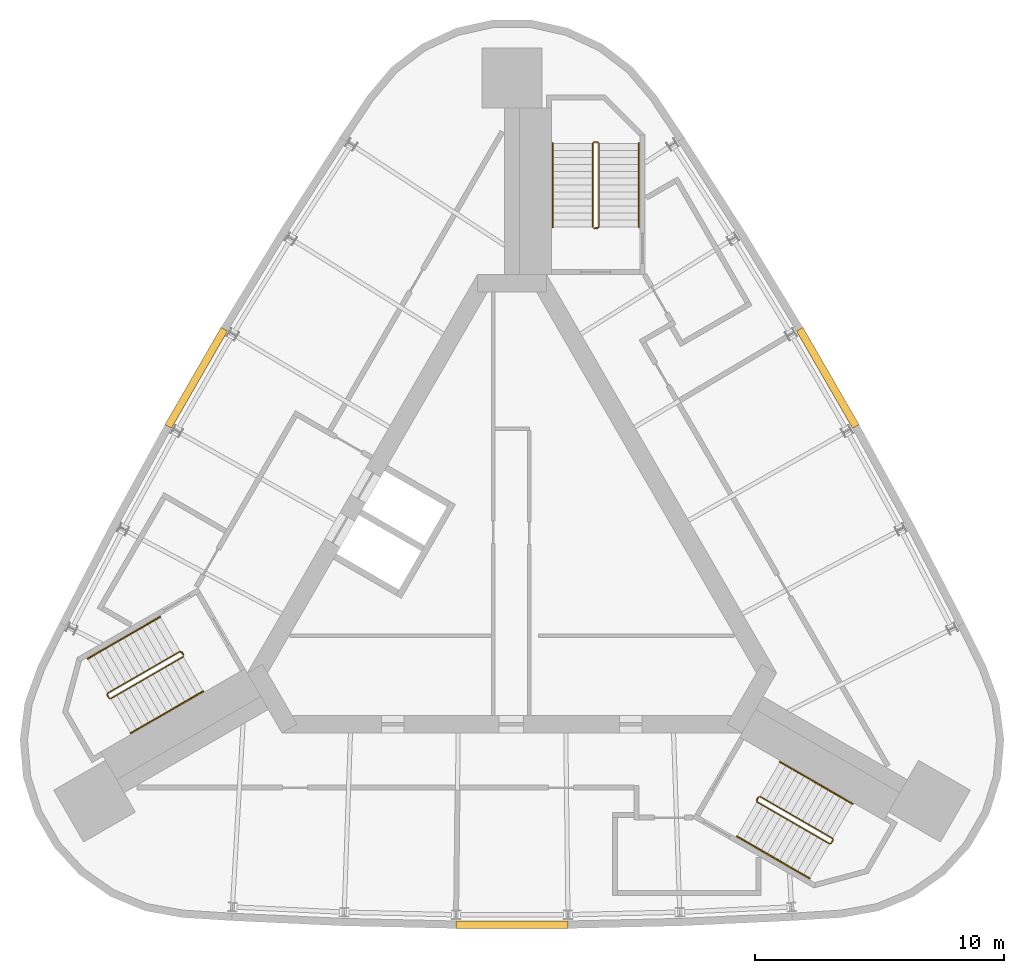
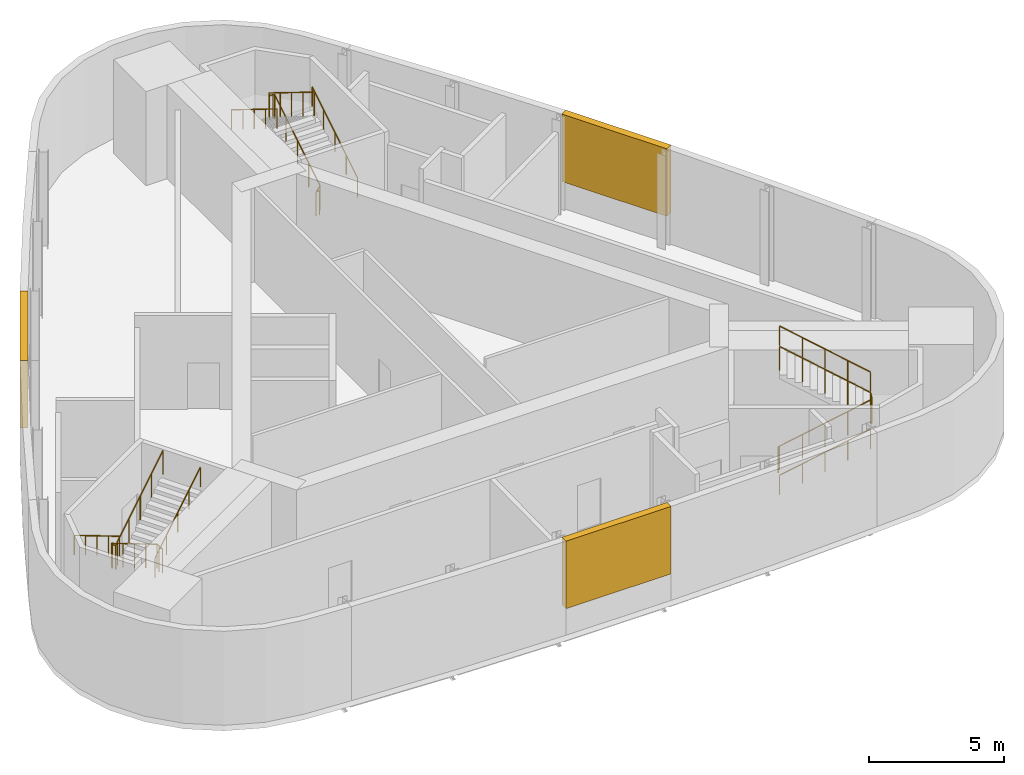
# One storey, part 7 of 7: 9 railings, 3 shading devices.
"""IFC4 building model written with IfcOpenShell, lengths in metres."""

from ifc_helpers import new_model, si_unit, direction, frame, origin, origin_2d, place, context, subcontext, project, spatial, polyline, circle, outline, extrude, material, type_object, element, save


model = new_model("IFC4")

# Units and contexts
model_context = context("Model", 3, precision=1e-05, world=origin(), true_north=direction((0.0, 1.0)))
body_context = subcontext(model_context, "Body", "Model", "MODEL_VIEW")
ifc_project = project(units=[si_unit("LENGTHUNIT", "METRE"), si_unit("AREAUNIT", "SQUARE_METRE"), si_unit("VOLUMEUNIT", "CUBIC_METRE"), si_unit("PLANEANGLEUNIT", "RADIAN"), si_unit("MASSUNIT", "GRAM", prefix="KILO")], contexts=[model_context])

# Site, building, storey
site_placement = place(None, origin())
site = spatial("IfcSite", under=ifc_project, at=site_placement, CompositionType="ELEMENT")
building_placement = place(site_placement, origin())
building = spatial("IfcBuilding", under=site, at=building_placement, Name="Noor Cloister Tower", CompositionType="ELEMENT")
storey_placement = place(building_placement, frame((0.0, 0.0, 279.60009765625)))
storey = spatial("IfcBuildingStorey", under=building, at=storey_placement, Name="L71", CompositionType="ELEMENT", Elevation=279.60009765625)

# Shading devices
ifc_material_1 = material(Name="Aluminium 6063-T6 anodised", Category="aluminium")
shading_device_type = type_object("IfcShadingDeviceType", Name="LOUVRE crown plant air 40 percent free", PredefinedType="USERDEFINED", material=ifc_material_1)
shading_device_1_placement = place(storey_placement, frame((0.0, 0.0, 1.199951171875)))
element("IfcShadingDevice", 1, at=shading_device_1_placement, inside=storey, type_object=shading_device_type, Name="LOUVRE L71 1", ObjectType="LOUVRE", PredefinedType="USERDEFINED", context=body_context, shape_type="SweptSolid", body=[
    extrude(outline(polyline([(-11.669189453125, 9.335205078125), (-13.919189453125, 5.438232421875), (-13.659423828125, 5.288330078125), (-11.409423828125, 9.185302734375), (-11.669189453125, 9.335205078125)])), origin(), (0.0, 0.0, 1.0), 3.050048828125),
])
shading_device_2_placement = place(storey_placement, frame((0.0, 0.0, 1.199951171875)))
element("IfcShadingDevice", 2, at=shading_device_2_placement, inside=storey, type_object=shading_device_type, Name="LOUVRE L71 2", ObjectType="LOUVRE", PredefinedType="USERDEFINED", context=body_context, shape_type="SweptSolid", body=[
    extrude(outline(polyline([(-2.25, -14.7734375), (2.25, -14.7734375), (2.25, -14.473388671875), (-2.25, -14.473388671875), (-2.25, -14.7734375)])), origin(), (0.0, 0.0, 1.0), 3.050048828125),
])
shading_device_3_placement = place(storey_placement, frame((0.0, 0.0, 1.199951171875)))
element("IfcShadingDevice", 3, at=shading_device_3_placement, inside=storey, type_object=shading_device_type, Name="LOUVRE L71 3", ObjectType="LOUVRE", PredefinedType="USERDEFINED", context=body_context, shape_type="SweptSolid", body=[
    extrude(outline(polyline([(13.919189453125, 5.438232421875), (11.669189453125, 9.335205078125), (11.409423828125, 9.185302734375), (13.659423828125, 5.288330078125), (13.919189453125, 5.438232421875)])), origin(), (0.0, 0.0, 1.0), 3.050048828125),
])

# Railings
ifc_material_2 = material(Name="Stainless steel", Category="steel")
railing_type_1 = type_object("IfcRailingType", Name="Stair guard 1100", PredefinedType="GUARDRAIL", material=ifc_material_2)
railing_1_placement = place(storey_placement, frame((3.435546875, 13.306396484375, 0.0)))
element("IfcRailing", 4, at=railing_1_placement, inside=storey, type_object=railing_type_1, Name="Stair guard ST1 L71", PredefinedType="GUARDRAIL", context=body_context, shape_type="SweptSolid", body=[
    extrude(circle(Radius=0.02392578125, at=origin_2d()), frame((0.0, 0.0, 1.076171875), z_axis=(-1.0, 0.0, 0.0), x_axis=(0.0, -1.0, 0.0)), (0.0, 0.0, 1.0), 0.14990234375),
    extrude(circle(Radius=0.02392578125, at=origin_2d()), frame((-0.14990234375, 0.0, 1.076171875), z_axis=(0.742869136974, 0.185944045274, 0.643094283413), x_axis=(-0.242814311512, 0.970072785993, 0.0)), (0.0, 0.0, 1.0), 0.26904296875),
    extrude(circle(Radius=0.02392578125, at=origin_2d()), frame((0.050048828125, 0.050048828125, 1.2490234375), z_axis=(0.0, 0.850606129759, 0.525803396734), x_axis=(-1.0, 0.0, 0.0)), (0.0, 0.0, 1.0), 3.949951171875),
    extrude(circle(Radius=0.02392578125, at=origin_2d()), frame((0.050048828125, 3.409912109375, 3.326171875), z_axis=(-0.707106781187, 0.707106781187, 0.0), x_axis=(-0.707106781187, -0.707106781187, 0.0)), (0.0, 0.0, 1.0), 0.07080078125),
    extrude(circle(Radius=0.02392578125, at=origin_2d()), frame((0.0, 3.4599609375, 3.326171875), z_axis=(-1.0, 0.0, 0.0), x_axis=(0.0, -1.0, 0.0)), (0.0, 0.0, 1.0), 0.14990234375),
    extrude(circle(Radius=0.02392578125, at=origin_2d()), frame((-0.14990234375, 3.4599609375, 3.326171875), z_axis=(-0.267629722418, -0.267629722418, 0.925607186314), x_axis=(0.707106781187, -0.707106781187, 0.0)), (0.0, 0.0, 1.0), 0.18701171875),
    extrude(circle(Radius=0.02392578125, at=origin_2d()), frame((-0.199951171875, 3.409912109375, 3.4990234375), z_axis=(0.0, -0.850606129759, 0.525803396734), x_axis=(1.0, 0.0, 0.0)), (0.0, 0.0, 1.0), 3.949951171875),
    extrude(circle(Radius=0.02099609375, at=origin_2d()), origin(), (0.0, 0.0, 1.0), 1.052001953125),
    extrude(circle(Radius=0.02099609375, at=origin_2d()), frame((-0.14990234375, 0.0, 0.0)), (0.0, 0.0, 1.0), 1.052001953125),
    extrude(circle(Radius=0.02099609375, at=origin_2d()), frame((0.050048828125, 0.050048828125, 0.173095703125)), (0.0, 0.0, 1.0), 1.052001953125),
    extrude(circle(Radius=0.02099609375, at=origin_2d()), frame((0.050048828125, 0.89013671875, 0.6923828125)), (0.0, 0.0, 1.0), 1.052001953125),
    extrude(circle(Radius=0.02099609375, at=origin_2d()), frame((0.050048828125, 1.72998046875, 1.21142578125)), (0.0, 0.0, 1.0), 1.052001953125),
    extrude(circle(Radius=0.02099609375, at=origin_2d()), frame((0.050048828125, 2.56982421875, 1.730712890625)), (0.0, 0.0, 1.0), 1.052001953125),
    extrude(circle(Radius=0.02099609375, at=origin_2d()), frame((0.050048828125, 3.409912109375, 2.25)), (0.0, 0.0, 1.0), 1.052001953125),
    extrude(circle(Radius=0.02099609375, at=origin_2d()), frame((0.0, 3.4599609375, 2.25)), (0.0, 0.0, 1.0), 1.052001953125),
    extrude(circle(Radius=0.02099609375, at=origin_2d()), frame((-0.14990234375, 3.4599609375, 2.25)), (0.0, 0.0, 1.0), 1.052001953125),
    extrude(circle(Radius=0.02099609375, at=origin_2d()), frame((-0.199951171875, 3.409912109375, 2.423095703125)), (0.0, 0.0, 1.0), 1.052001953125),
    extrude(circle(Radius=0.02099609375, at=origin_2d()), frame((-0.199951171875, 2.56982421875, 2.9423828125)), (0.0, 0.0, 1.0), 1.052001953125),
    extrude(circle(Radius=0.02099609375, at=origin_2d()), frame((-0.199951171875, 1.72998046875, 3.46142578125)), (0.0, 0.0, 1.0), 1.052001953125),
    extrude(circle(Radius=0.02099609375, at=origin_2d()), frame((-0.199951171875, 0.89013671875, 3.980712890625)), (0.0, 0.0, 1.0), 1.052001953125),
    extrude(circle(Radius=0.02099609375, at=origin_2d()), frame((-0.199951171875, 0.050048828125, 4.5)), (0.0, 0.0, 1.0), 1.052001953125),
])
railing_2_placement = place(storey_placement, frame((-13.241455078125, -3.677734375, 0.0)))
element("IfcRailing", 5, at=railing_2_placement, inside=storey, type_object=railing_type_1, Name="Stair guard ST2 L71", PredefinedType="GUARDRAIL", context=body_context, shape_type="SweptSolid", body=[
    extrude(circle(Radius=0.02392578125, at=origin_2d()), frame((0.0, 0.0, 1.076171875), z_axis=(0.499112439033, -0.866537231285, 0.0), x_axis=(0.866537231285, 0.499112439033, 0.0)), (0.0, 0.0, 1.0), 0.150146484375),
    extrude(circle(Radius=0.02392578125, at=origin_2d()), frame((0.074951171875, -0.130126953125, 1.076171875), z_axis=(-0.532384093884, 0.550523245294, 0.643032917485), x_axis=(-0.718850276695, -0.695164929852, 0.0)), (0.0, 0.0, 1.0), 0.269287109375),
    extrude(circle(Radius=0.02392578125, at=origin_2d()), frame((-0.068359375, 0.01806640625, 1.2490234375), z_axis=(-0.736667954249, -0.425288379326, 0.525785240943), x_axis=(0.499976138585, -0.866039179741, 0.0)), (0.0, 0.0, 1.0), 3.9501953125),
    extrude(circle(Radius=0.02392578125, at=origin_2d()), frame((-2.978271484375, -1.661865234375, 3.326171875), z_axis=(-0.258736085224, -0.965948051503, 0.0), x_axis=(0.965948051503, -0.258736085224, 0.0)), (0.0, 0.0, 1.0), 0.07080078125),
    extrude(circle(Radius=0.02392578125, at=origin_2d()), frame((-2.99658203125, -1.730224609375, 3.326171875), z_axis=(0.501036270542, -0.865426285481, 0.0), x_axis=(0.865426285481, 0.501036270542, 0.0)), (0.0, 0.0, 1.0), 0.150146484375),
    extrude(circle(Radius=0.02392578125, at=origin_2d()), frame((-2.92138671875, -1.860107421875, 3.326171875), z_axis=(0.364418931161, -0.097962078269, 0.926068179905), x_axis=(0.259601060869, 0.965715946433, 0.0)), (0.0, 0.0, 1.0), 0.18701171875),
    extrude(circle(Radius=0.02392578125, at=origin_2d()), frame((-2.853271484375, -1.87841796875, 3.4990234375), z_axis=(0.736648589954, 0.42533900462, 0.52577141998), x_axis=(-0.500030632641, 0.866007717299, 0.0)), (0.0, 0.0, 1.0), 3.9501953125),
    extrude(circle(Radius=0.02099609375, at=origin_2d()), origin(), (0.0, 0.0, 1.0), 1.052001953125),
    extrude(circle(Radius=0.02099609375, at=origin_2d()), frame((0.074951171875, -0.130126953125, 0.0)), (0.0, 0.0, 1.0), 1.052001953125),
    extrude(circle(Radius=0.02099609375, at=origin_2d()), frame((-0.068359375, 0.01806640625, 0.173095703125)), (0.0, 0.0, 1.0), 1.052001953125),
    extrude(circle(Radius=0.02099609375, at=origin_2d()), frame((-0.7958984375, -0.40185546875, 0.6923828125)), (0.0, 0.0, 1.0), 1.052001953125),
    extrude(circle(Radius=0.02099609375, at=origin_2d()), frame((-1.5234375, -0.82177734375, 1.21142578125)), (0.0, 0.0, 1.0), 1.052001953125),
    extrude(circle(Radius=0.02099609375, at=origin_2d()), frame((-2.250732421875, -1.241943359375, 1.730712890625)), (0.0, 0.0, 1.0), 1.052001953125),
    extrude(circle(Radius=0.02099609375, at=origin_2d()), frame((-2.978271484375, -1.661865234375, 2.25)), (0.0, 0.0, 1.0), 1.052001953125),
    extrude(circle(Radius=0.02099609375, at=origin_2d()), frame((-2.99658203125, -1.730224609375, 2.25)), (0.0, 0.0, 1.0), 1.052001953125),
    extrude(circle(Radius=0.02099609375, at=origin_2d()), frame((-2.92138671875, -1.860107421875, 2.25)), (0.0, 0.0, 1.0), 1.052001953125),
    extrude(circle(Radius=0.02099609375, at=origin_2d()), frame((-2.853271484375, -1.87841796875, 2.423095703125)), (0.0, 0.0, 1.0), 1.052001953125),
    extrude(circle(Radius=0.02099609375, at=origin_2d()), frame((-2.125732421875, -1.45849609375, 2.9423828125)), (0.0, 0.0, 1.0), 1.052001953125),
    extrude(circle(Radius=0.02099609375, at=origin_2d()), frame((-1.3984375, -1.038330078125, 3.46142578125)), (0.0, 0.0, 1.0), 1.052001953125),
    extrude(circle(Radius=0.02099609375, at=origin_2d()), frame((-0.6708984375, -0.6181640625, 3.980712890625)), (0.0, 0.0, 1.0), 1.052001953125),
    extrude(circle(Radius=0.02099609375, at=origin_2d()), frame((0.056640625, -0.1982421875, 4.5)), (0.0, 0.0, 1.0), 1.052001953125),
])
railing_3_placement = place(storey_placement, frame((9.805908203125, -9.628662109375, 0.0)))
element("IfcRailing", 6, at=railing_3_placement, inside=storey, type_object=railing_type_1, Name="Stair guard ST3 L71", PredefinedType="GUARDRAIL", context=body_context, shape_type="SweptSolid", body=[
    extrude(circle(Radius=0.02392578125, at=origin_2d()), frame((0.0, 0.0, 1.076171875), z_axis=(0.499112439033, 0.866537231285, 0.0), x_axis=(-0.866537231285, 0.499112439033, 0.0)), (0.0, 0.0, 1.0), 0.150146484375),
    extrude(circle(Radius=0.02392578125, at=origin_2d()), frame((0.074951171875, 0.130126953125, 1.076171875), z_axis=(-0.210401176497, -0.736404117741, 0.642993250589), x_axis=(0.961523947641, -0.274721127897, 0.0)), (0.0, 0.0, 1.0), 0.269287109375),
    extrude(circle(Radius=0.02392578125, at=origin_2d()), frame((0.018310546875, -0.068115234375, 1.2490234375), z_axis=(0.736648589954, -0.42533900462, 0.52577141998), x_axis=(0.500030632641, 0.866007717299, 0.0)), (0.0, 0.0, 1.0), 3.9501953125),
    extrude(circle(Radius=0.02392578125, at=origin_2d()), frame((2.92822265625, -1.748291015625, 3.326171875), z_axis=(0.965715946433, 0.259601060869, 0.0), x_axis=(-0.259601060869, 0.965715946433, 0.0)), (0.0, 0.0, 1.0), 0.070556640625),
    extrude(circle(Radius=0.02392578125, at=origin_2d()), frame((2.996337890625, -1.72998046875, 3.326171875), z_axis=(0.499816412211, 0.866131372301, 0.0), x_axis=(-0.866131372301, 0.499816412211, 0.0)), (0.0, 0.0, 1.0), 0.14990234375),
    extrude(circle(Radius=0.02392578125, at=origin_2d()), frame((3.0712890625, -1.60009765625, 3.326171875), z_axis=(-0.096622130353, 0.365597249983, 0.925744465136), x_axis=(-0.966805641264, -0.255512919477, 0.0)), (0.0, 0.0, 1.0), 0.18701171875),
    extrude(circle(Radius=0.02392578125, at=origin_2d()), frame((3.05322265625, -1.53173828125, 3.4990234375), z_axis=(-0.736667954249, 0.425288379326, 0.525785240943), x_axis=(-0.499976138585, -0.866039179741, 0.0)), (0.0, 0.0, 1.0), 3.9501953125),
    extrude(circle(Radius=0.02099609375, at=origin_2d()), origin(), (0.0, 0.0, 1.0), 1.052001953125),
    extrude(circle(Radius=0.02099609375, at=origin_2d()), frame((0.074951171875, 0.130126953125, 0.0)), (0.0, 0.0, 1.0), 1.052001953125),
    extrude(circle(Radius=0.02099609375, at=origin_2d()), frame((0.018310546875, -0.068115234375, 0.173095703125)), (0.0, 0.0, 1.0), 1.052001953125),
    extrude(circle(Radius=0.02099609375, at=origin_2d()), frame((0.745849609375, -0.48828125, 0.6923828125)), (0.0, 0.0, 1.0), 1.052001953125),
    extrude(circle(Radius=0.02099609375, at=origin_2d()), frame((1.47314453125, -0.908203125, 1.21142578125)), (0.0, 0.0, 1.0), 1.052001953125),
    extrude(circle(Radius=0.02099609375, at=origin_2d()), frame((2.20068359375, -1.328125, 1.730712890625)), (0.0, 0.0, 1.0), 1.052001953125),
    extrude(circle(Radius=0.02099609375, at=origin_2d()), frame((2.92822265625, -1.748291015625, 2.25)), (0.0, 0.0, 1.0), 1.052001953125),
    extrude(circle(Radius=0.02099609375, at=origin_2d()), frame((2.996337890625, -1.72998046875, 2.25)), (0.0, 0.0, 1.0), 1.052001953125),
    extrude(circle(Radius=0.02099609375, at=origin_2d()), frame((3.0712890625, -1.60009765625, 2.25)), (0.0, 0.0, 1.0), 1.052001953125),
    extrude(circle(Radius=0.02099609375, at=origin_2d()), frame((3.05322265625, -1.53173828125, 2.423095703125)), (0.0, 0.0, 1.0), 1.052001953125),
    extrude(circle(Radius=0.02099609375, at=origin_2d()), frame((2.32568359375, -1.11181640625, 2.9423828125)), (0.0, 0.0, 1.0), 1.052001953125),
    extrude(circle(Radius=0.02099609375, at=origin_2d()), frame((1.59814453125, -0.69189453125, 3.46142578125)), (0.0, 0.0, 1.0), 1.052001953125),
    extrude(circle(Radius=0.02099609375, at=origin_2d()), frame((0.870849609375, -0.271728515625, 3.980712890625)), (0.0, 0.0, 1.0), 1.052001953125),
    extrude(circle(Radius=0.02099609375, at=origin_2d()), frame((0.143310546875, 0.148193359375, 4.5)), (0.0, 0.0, 1.0), 1.052001953125),
])
ifc_material_3 = material(Name="Stainless steel", Category="steel")
railing_type_2 = type_object("IfcRailingType", Name="Stair handrail 900", PredefinedType="HANDRAIL", material=ifc_material_3)
railing_4_placement = place(storey_placement, frame((5.085693359375, 13.3564453125, 0.173095703125)))
element("IfcRailing", 7, at=railing_4_placement, inside=storey, type_object=railing_type_2, Name="Stair handrail ST1 L71 1", PredefinedType="HANDRAIL", context=body_context, shape_type="SweptSolid", body=[
    extrude(circle(Radius=0.02392578125, at=origin_2d()), frame((0.0, 0.0, 0.8759765625), z_axis=(0.0, 0.850606129759, 0.525803396734), x_axis=(-1.0, 0.0, 0.0)), (0.0, 0.0, 1.0), 3.949951171875),
    extrude(circle(Radius=0.02099609375, at=origin_2d()), origin(), (0.0, 0.0, 1.0), 0.851806640625),
    extrude(circle(Radius=0.02099609375, at=origin_2d()), frame((0.0, 0.83984375, 0.519287109375)), (0.0, 0.0, 1.0), 0.851806640625),
    extrude(circle(Radius=0.02099609375, at=origin_2d()), frame((0.0, 1.679931640625, 1.03857421875)), (0.0, 0.0, 1.0), 0.851806640625),
    extrude(circle(Radius=0.02099609375, at=origin_2d()), frame((0.0, 2.52001953125, 1.5576171875)), (0.0, 0.0, 1.0), 0.851806640625),
    extrude(circle(Radius=0.02099609375, at=origin_2d()), frame((0.0, 3.35986328125, 2.076904296875)), (0.0, 0.0, 1.0), 0.851806640625),
])
railing_5_placement = place(storey_placement, frame((1.6357421875, 16.71630859375, 2.423095703125)))
element("IfcRailing", 8, at=railing_5_placement, inside=storey, type_object=railing_type_2, Name="Stair handrail ST1 L71 2", PredefinedType="HANDRAIL", context=body_context, shape_type="SweptSolid", body=[
    extrude(circle(Radius=0.02392578125, at=origin_2d()), frame((0.0, 0.0, 0.8759765625), z_axis=(0.0, -0.850606129759, 0.525803396734), x_axis=(1.0, 0.0, 0.0)), (0.0, 0.0, 1.0), 3.949951171875),
    extrude(circle(Radius=0.02099609375, at=origin_2d()), origin(), (0.0, 0.0, 1.0), 0.851806640625),
    extrude(circle(Radius=0.02099609375, at=origin_2d()), frame((0.0, -0.83984375, 0.519287109375)), (0.0, 0.0, 1.0), 0.851806640625),
    extrude(circle(Radius=0.02099609375, at=origin_2d()), frame((0.0, -1.679931640625, 1.03857421875)), (0.0, 0.0, 1.0), 0.851806640625),
    extrude(circle(Radius=0.02099609375, at=origin_2d()), frame((0.0, -2.52001953125, 1.5576171875)), (0.0, 0.0, 1.0), 0.851806640625),
    extrude(circle(Radius=0.02099609375, at=origin_2d()), frame((0.0, -3.35986328125, 2.076904296875)), (0.0, 0.0, 1.0), 0.851806640625),
])
railing_6_placement = place(storey_placement, frame((-14.10986328125, -2.27392578125, 0.173095703125)))
element("IfcRailing", 9, at=railing_6_placement, inside=storey, type_object=railing_type_2, Name="Stair handrail ST2 L71 1", PredefinedType="HANDRAIL", context=body_context, shape_type="SweptSolid", body=[
    extrude(circle(Radius=0.02392578125, at=origin_2d()), frame((0.0, 0.0, 0.8759765625), z_axis=(-0.736639687092, -0.425307743487, 0.525809180911), x_axis=(0.500007602105, -0.866021014662, 0.0)), (0.0, 0.0, 1.0), 3.949951171875),
    extrude(circle(Radius=0.02099609375, at=origin_2d()), origin(), (0.0, 0.0, 1.0), 0.851806640625),
    extrude(circle(Radius=0.02099609375, at=origin_2d()), frame((-0.7275390625, -0.419921875, 0.519287109375)), (0.0, 0.0, 1.0), 0.851806640625),
    extrude(circle(Radius=0.02099609375, at=origin_2d()), frame((-1.454833984375, -0.83984375, 1.03857421875)), (0.0, 0.0, 1.0), 0.851806640625),
    extrude(circle(Radius=0.02099609375, at=origin_2d()), frame((-2.18212890625, -1.260009765625, 1.5576171875)), (0.0, 0.0, 1.0), 0.851806640625),
    extrude(circle(Radius=0.02099609375, at=origin_2d()), frame((-2.90966796875, -1.679931640625, 2.076904296875)), (0.0, 0.0, 1.0), 0.851806640625),
])
railing_7_placement = place(storey_placement, frame((-15.294677734375, -6.941650390625, 2.423095703125)))
element("IfcRailing", 10, at=railing_7_placement, inside=storey, type_object=railing_type_2, Name="Stair handrail ST2 L71 2", PredefinedType="HANDRAIL", context=body_context, shape_type="SweptSolid", body=[
    extrude(circle(Radius=0.02392578125, at=origin_2d()), frame((0.0, 0.0, 0.8759765625), z_axis=(0.736667954249, 0.425288379326, 0.525785240943), x_axis=(-0.499976138585, 0.866039179741, 0.0)), (0.0, 0.0, 1.0), 3.9501953125),
    extrude(circle(Radius=0.02099609375, at=origin_2d()), origin(), (0.0, 0.0, 1.0), 0.851806640625),
    extrude(circle(Radius=0.02099609375, at=origin_2d()), frame((0.7275390625, 0.419921875, 0.519287109375)), (0.0, 0.0, 1.0), 0.851806640625),
    extrude(circle(Radius=0.02099609375, at=origin_2d()), frame((1.455078125, 0.83984375, 1.03857421875)), (0.0, 0.0, 1.0), 0.851806640625),
    extrude(circle(Radius=0.02099609375, at=origin_2d()), frame((2.182373046875, 1.260009765625, 1.5576171875)), (0.0, 0.0, 1.0), 0.851806640625),
    extrude(circle(Radius=0.02099609375, at=origin_2d()), frame((2.909912109375, 1.679931640625, 2.076904296875)), (0.0, 0.0, 1.0), 0.851806640625),
])
railing_8_placement = place(storey_placement, frame((9.024169921875, -11.08251953125, 0.173095703125)))
element("IfcRailing", 11, at=railing_8_placement, inside=storey, type_object=railing_type_2, Name="Stair handrail ST3 L71 1", PredefinedType="HANDRAIL", context=body_context, shape_type="SweptSolid", body=[
    extrude(circle(Radius=0.02392578125, at=origin_2d()), frame((0.0, 0.0, 0.8759765625), z_axis=(0.736667954249, -0.425288379326, 0.525785240943), x_axis=(0.499976138585, 0.866039179741, 0.0)), (0.0, 0.0, 1.0), 3.9501953125),
    extrude(circle(Radius=0.02099609375, at=origin_2d()), origin(), (0.0, 0.0, 1.0), 0.851806640625),
    extrude(circle(Radius=0.02099609375, at=origin_2d()), frame((0.7275390625, -0.419921875, 0.519287109375)), (0.0, 0.0, 1.0), 0.851806640625),
    extrude(circle(Radius=0.02099609375, at=origin_2d()), frame((1.455078125, -0.83984375, 1.03857421875)), (0.0, 0.0, 1.0), 0.851806640625),
    extrude(circle(Radius=0.02099609375, at=origin_2d()), frame((2.182373046875, -1.260009765625, 1.5576171875)), (0.0, 0.0, 1.0), 0.851806640625),
    extrude(circle(Radius=0.02099609375, at=origin_2d()), frame((2.909912109375, -1.679931640625, 2.076904296875)), (0.0, 0.0, 1.0), 0.851806640625),
])
railing_9_placement = place(storey_placement, frame((13.658935546875, -9.774658203125, 2.423095703125)))
element("IfcRailing", 12, at=railing_9_placement, inside=storey, type_object=railing_type_2, Name="Stair handrail ST3 L71 2", PredefinedType="HANDRAIL", context=body_context, shape_type="SweptSolid", body=[
    extrude(circle(Radius=0.02392578125, at=origin_2d()), frame((0.0, 0.0, 0.8759765625), z_axis=(-0.736639687092, 0.425307743487, 0.525809180911), x_axis=(-0.500007602105, -0.866021014662, 0.0)), (0.0, 0.0, 1.0), 3.949951171875),
    extrude(circle(Radius=0.02099609375, at=origin_2d()), origin(), (0.0, 0.0, 1.0), 0.851806640625),
    extrude(circle(Radius=0.02099609375, at=origin_2d()), frame((-0.7275390625, 0.419921875, 0.519287109375)), (0.0, 0.0, 1.0), 0.851806640625),
    extrude(circle(Radius=0.02099609375, at=origin_2d()), frame((-1.454833984375, 0.83984375, 1.03857421875)), (0.0, 0.0, 1.0), 0.851806640625),
    extrude(circle(Radius=0.02099609375, at=origin_2d()), frame((-2.18212890625, 1.260009765625, 1.5576171875)), (0.0, 0.0, 1.0), 0.851806640625),
    extrude(circle(Radius=0.02099609375, at=origin_2d()), frame((-2.90966796875, 1.679931640625, 2.076904296875)), (0.0, 0.0, 1.0), 0.851806640625),
])

save(model, "model.ifc")
